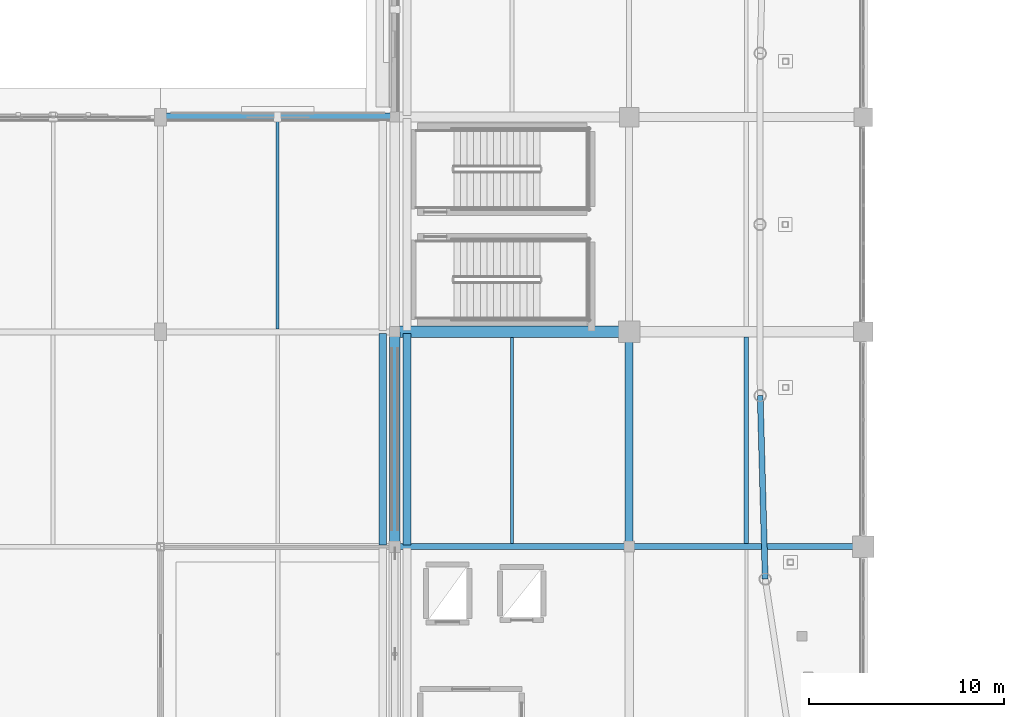
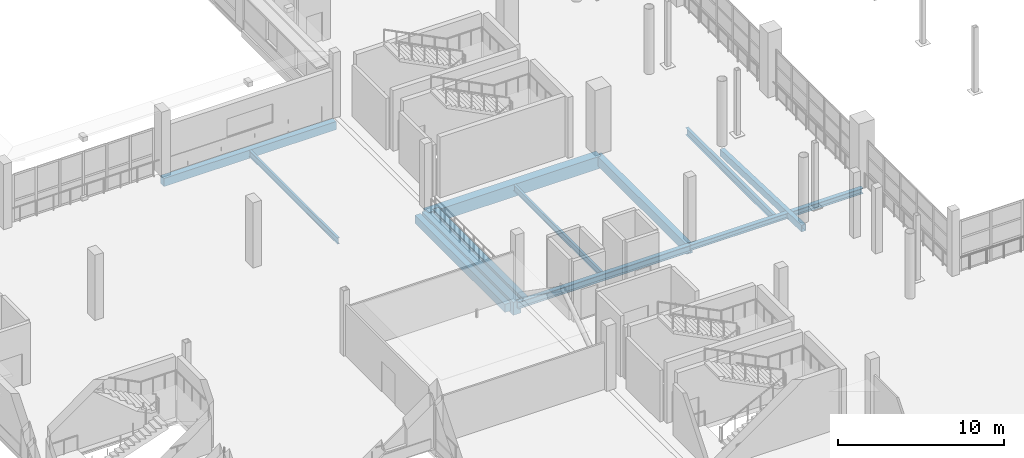
# One storey, part 29 of 143: 12 beams.
"""IFC4 building model written with IfcOpenShell, lengths in metres."""

from ifc_helpers import new_model, si_unit, direction, frame, origin, origin_2d, place, context, subcontext, project, spatial, rectangle, hollow_rectangle, i_section, extrude, material, material_profile, profile_set, type_object, element, save


model = new_model("IFC4")

# Units and contexts
model_context = context("Model", 3, precision=1e-05, world=origin(), true_north=direction((0.0, 1.0)))
body_context = subcontext(model_context, "Body", "Model", "MODEL_VIEW")
ifc_project = project(units=[si_unit("LENGTHUNIT", "METRE"), si_unit("AREAUNIT", "SQUARE_METRE"), si_unit("VOLUMEUNIT", "CUBIC_METRE"), si_unit("PLANEANGLEUNIT", "RADIAN"), si_unit("MASSUNIT", "GRAM", prefix="KILO")], contexts=[model_context])

# Site, building, storey
site_placement = place(None, origin())
site = spatial("IfcSite", under=ifc_project, at=site_placement, CompositionType="ELEMENT")
building_placement = place(site_placement, origin())
building = spatial("IfcBuilding", under=site, at=building_placement, Name="Luwafu Chhajja Arena", CompositionType="ELEMENT")
storey_placement = place(building_placement, frame((0.0, 0.0, 5.39990234375)))
storey = spatial("IfcBuildingStorey", under=building, at=storey_placement, Name="L01", CompositionType="ELEMENT", Elevation=5.39990234375)

# Beams
ifc_material_1 = material(Name="Concrete C35/45", Category="concrete")
ifc_material_profile_1 = material_profile(ifc_material_1, rectangle(XDim=0.60009765625, YDim=0.89990234375, at=origin_2d()), Name="RC 600x900")
ifc_profile_set_1 = profile_set([ifc_material_profile_1], Name="Concrete C35/45")
beam_type_1 = type_object("IfcBeamType", Name="Concourse Primary Girder RC 600x900", PredefinedType="BEAM", material=ifc_profile_set_1)
beam_1_placement = place(storey_placement, frame((34.0, 44.0, -0.77978515625), z_axis=(1.0, 0.0, 0.0), x_axis=(0.0, 1.0, 0.0)))
element("IfcBeam", 1, at=beam_1_placement, inside=storey, type_object=beam_type_1, Name="L01 Grid Beam 4-5/E", PredefinedType="BEAM", context=body_context, shape_type="SweptSolid", body=[
    extrude(rectangle(XDim=0.60009765625, YDim=0.89990234375, at=origin_2d()), origin(), (0.0, 0.0, 1.0), 12.0),
])
ifc_material_profile_2 = material_profile(ifc_material_1, rectangle(XDim=0.550048828125, YDim=0.949951171875, at=origin_2d()), Name="RC 550x950")
ifc_profile_set_2 = profile_set([ifc_material_profile_2], Name="Concrete C35/45")
beam_type_2 = type_object("IfcBeamType", Name="Concourse Radial Girder RC 550x950", PredefinedType="BEAM", material=ifc_profile_set_2)
beam_2_placement = place(storey_placement, frame((34.0, 33.0, -0.804931640625), z_axis=(0.0, 1.0, 0.0), x_axis=(-1.0, 0.0, 0.0)))
element("IfcBeam", 2, at=beam_2_placement, inside=storey, type_object=beam_type_2, Name="L01 Grid Beam 4/D-E", PredefinedType="BEAM", context=body_context, shape_type="SweptSolid", body=[
    extrude(rectangle(XDim=0.550048828125, YDim=0.949951171875, at=origin_2d()), origin(), (0.0, 0.0, 1.0), 11.0),
])
ifc_material_2 = material(Name="Steel S355", Category="steel")
ifc_material_profile_3 = material_profile(ifc_material_2, i_section(OverallWidth=0.15283203125, OverallDepth=0.45458984375, WebThickness=0.008056640625, FlangeThickness=0.01318359375, at=origin_2d()), Name="UB 457x152x60")
ifc_profile_set_3 = profile_set([ifc_material_profile_3], Name="Steel S355")
beam_type_3 = type_object("IfcBeamType", Name="Floor Joist UB 457x152x60", PredefinedType="JOIST", material=ifc_profile_set_3)
beam_3_placement = place(storey_placement, frame((28.0, 44.14990234375, -0.55712890625), z_axis=(0.0, 1.0, 0.0), x_axis=(-1.0, 0.0, 0.0)))
element("IfcBeam", 3, at=beam_3_placement, inside=storey, type_object=beam_type_3, Name="L01 Secondary Joist 3-4/E", PredefinedType="JOIST", context=body_context, shape_type="SweptSolid", body=[
    extrude(i_section(OverallWidth=0.15283203125, OverallDepth=0.45458984375, WebThickness=0.008056640625, FlangeThickness=0.01318359375, at=origin_2d()), origin(), (0.0, 0.0, 1.0), 10.650146484375),
])
beam_4_placement = place(storey_placement, frame((40.0, 33.14990234375, -0.55712890625), z_axis=(0.0, 1.0, 0.0), x_axis=(-1.0, 0.0, 0.0)))
element("IfcBeam", 4, at=beam_4_placement, inside=storey, type_object=beam_type_3, Name="L01 Secondary Joist 4-5/D", PredefinedType="JOIST", context=body_context, shape_type="SweptSolid", body=[
    extrude(i_section(OverallWidth=0.15283203125, OverallDepth=0.45458984375, WebThickness=0.008056640625, FlangeThickness=0.01318359375, at=origin_2d()), origin(), (0.0, 0.0, 1.0), 10.550048828125),
])
ifc_material_profile_4 = material_profile(ifc_material_2, i_section(OverallWidth=0.2099609375, OverallDepth=0.53662109375, WebThickness=0.0107421875, FlangeThickness=0.017333984375, at=origin_2d()), Name="UB 533x210x101")
ifc_profile_set_4 = profile_set([ifc_material_profile_4], Name="Steel S355")
beam_type_4 = type_object("IfcBeamType", Name="Floor Joist UB 533x210x101", PredefinedType="JOIST", material=ifc_profile_set_4)
beam_5_placement = place(storey_placement, frame((52.0, 33.14990234375, -0.59814453125), z_axis=(0.0, 1.0, 0.0), x_axis=(-1.0, 0.0, 0.0)))
element("IfcBeam", 5, at=beam_5_placement, inside=storey, type_object=beam_type_4, Name="L01 Secondary Joist 5-6/D", PredefinedType="JOIST", context=body_context, shape_type="SweptSolid", body=[
    extrude(i_section(OverallWidth=0.2099609375, OverallDepth=0.53662109375, WebThickness=0.0107421875, FlangeThickness=0.017333984375, at=origin_2d()), origin(), (0.0, 0.0, 1.0), 10.5751953125),
])
ifc_material_profile_5 = material_profile(ifc_material_2, hollow_rectangle(XDim=0.300048828125, YDim=0.5, WallThickness=0.02001953125, at=origin_2d()), Name="RHS 500x300x20")
ifc_profile_set_5 = profile_set([ifc_material_profile_5], Name="Steel S355")
beam_type_5 = type_object("IfcBeamType", Name="Pleated Drum Spandrel Beam RHS 500x300", PredefinedType="SPANDREL", material=ifc_profile_set_5)
beam_6_placement = place(storey_placement, frame((52.71240234375, 40.730224609375, -0.579833984375), z_axis=(0.02720805866, -0.999629792245, 0.0), x_axis=(0.999629792245, 0.02720805866, 0.0)))
element("IfcBeam", 6, at=beam_6_placement, inside=storey, type_object=beam_type_5, Name="L01 Drum Ring Spandrel D18-D19", PredefinedType="SPANDREL", context=body_context, shape_type="SweptSolid", body=[
    extrude(hollow_rectangle(XDim=0.300048828125, YDim=0.5, WallThickness=0.02001953125, at=origin_2d()), origin(), (0.0, 0.0, 1.0), 9.394775390625),
])
ifc_material_profile_6 = material_profile(ifc_material_1, rectangle(XDim=0.39990234375, YDim=0.60009765625, at=origin_2d()), Name="RC 400x600")
ifc_profile_set_6 = profile_set([ifc_material_profile_6], Name="Concrete C35/45")
beam_type_6 = type_object("IfcBeamType", Name="Podium Perimeter Spandrel RC 400x600", PredefinedType="SPANDREL", material=ifc_profile_set_6)
beam_7_placement = place(storey_placement, frame((22.0, 55.0, -0.6298828125), z_axis=(1.0, 0.0, 0.0), x_axis=(0.0, 1.0, 0.0)))
element("IfcBeam", 7, at=beam_7_placement, inside=storey, type_object=beam_type_6, Name="L01 Grid Beam 3-4/F", PredefinedType="SPANDREL", context=body_context, shape_type="SweptSolid", body=[
    extrude(rectangle(XDim=0.39990234375, YDim=0.60009765625, at=origin_2d()), origin(), (0.0, 0.0, 1.0), 12.0),
])
for number, where, z_axis, x_axis, name in (
    (8, (33.3798828125, 33.080078125, -0.6298828125), (0.0, 1.0, 0.0), (-1.0, 0.0, 0.0), "L01 Movement Joint MJ1W Seat Girder 03"),
    (9, (34.6201171875, 33.080078125, -0.6298828125), (0.0, 1.0, 0.0), (-1.0, 0.0, 0.0), "L01 Movement Joint MJ1E Seat Girder 03"),
):
    element("IfcBeam", number, at=place(storey_placement, frame(where, z_axis=z_axis, x_axis=x_axis)), inside=storey, type_object=beam_type_6, Name=name, PredefinedType="SPANDREL", context=body_context, shape_type="SweptSolid", body=[
        extrude(rectangle(XDim=0.39990234375, YDim=0.60009765625, at=origin_2d()), origin(), (0.0, 0.0, 1.0), 10.83984375),
    ])
ifc_material_profile_7 = material_profile(ifc_material_2, i_section(OverallWidth=0.300048828125, OverallDepth=0.5, WebThickness=0.014404296875, FlangeThickness=0.028076171875, at=origin_2d()), Name="HEB 500")
ifc_profile_set_7 = profile_set([ifc_material_profile_7], Name="Steel S355")
beam_type_7 = type_object("IfcBeamType", Name="Steel Atrium Tie Girder HEB 500", PredefinedType="BEAM", material=ifc_profile_set_7)
beam_8_placement = place(storey_placement, frame((34.0, 33.0, -0.579833984375), z_axis=(1.0, 0.0, 0.0), x_axis=(0.0, 1.0, 0.0)))
element("IfcBeam", 10, at=beam_8_placement, inside=storey, type_object=beam_type_7, Name="L01 Grid Beam 4-5/D", PredefinedType="BEAM", context=body_context, shape_type="SweptSolid", body=[
    extrude(i_section(OverallWidth=0.300048828125, OverallDepth=0.5, WebThickness=0.014404296875, FlangeThickness=0.028076171875, at=origin_2d()), origin(), (0.0, 0.0, 1.0), 12.0),
])
ifc_material_profile_8 = material_profile(ifc_material_2, i_section(OverallWidth=0.300048828125, OverallDepth=0.39990234375, WebThickness=0.013427734375, FlangeThickness=0.02392578125, at=origin_2d()), Name="HEB 400")
ifc_profile_set_8 = profile_set([ifc_material_profile_8], Name="Steel S355")
beam_type_8 = type_object("IfcBeamType", Name="Steel Rigging Grid Beam HEB 400", PredefinedType="BEAM", material=ifc_profile_set_8)
beam_9_placement = place(storey_placement, frame((46.0, 33.0, -0.52978515625), z_axis=(1.0, 0.0, 0.0), x_axis=(0.0, 1.0, 0.0)))
element("IfcBeam", 11, at=beam_9_placement, inside=storey, type_object=beam_type_8, Name="L01 Grid Beam 5-6/D", PredefinedType="BEAM", context=body_context, shape_type="SweptSolid", body=[
    extrude(i_section(OverallWidth=0.300048828125, OverallDepth=0.39990234375, WebThickness=0.013427734375, FlangeThickness=0.02392578125, at=origin_2d()), origin(), (0.0, 0.0, 1.0), 12.0),
])
ifc_material_profile_9 = material_profile(ifc_material_1, rectangle(XDim=0.39990234375, YDim=0.699951171875, at=origin_2d()), Name="RC 400x700")
ifc_profile_set_9 = profile_set([ifc_material_profile_9], Name="Concrete C35/45")
beam_type_9 = type_object("IfcBeamType", Name="Wing Frame Beam RC 400x700", PredefinedType="BEAM", material=ifc_profile_set_9)
beam_10_placement = place(storey_placement, frame((46.0, 33.0, -0.679931640625), z_axis=(0.0, 1.0, 0.0), x_axis=(-1.0, 0.0, 0.0)))
element("IfcBeam", 12, at=beam_10_placement, inside=storey, type_object=beam_type_9, Name="L01 Grid Beam 5/D-E", PredefinedType="BEAM", context=body_context, shape_type="SweptSolid", body=[
    extrude(rectangle(XDim=0.39990234375, YDim=0.699951171875, at=origin_2d()), origin(), (0.0, 0.0, 1.0), 11.0),
])

save(model, "model.ifc")
